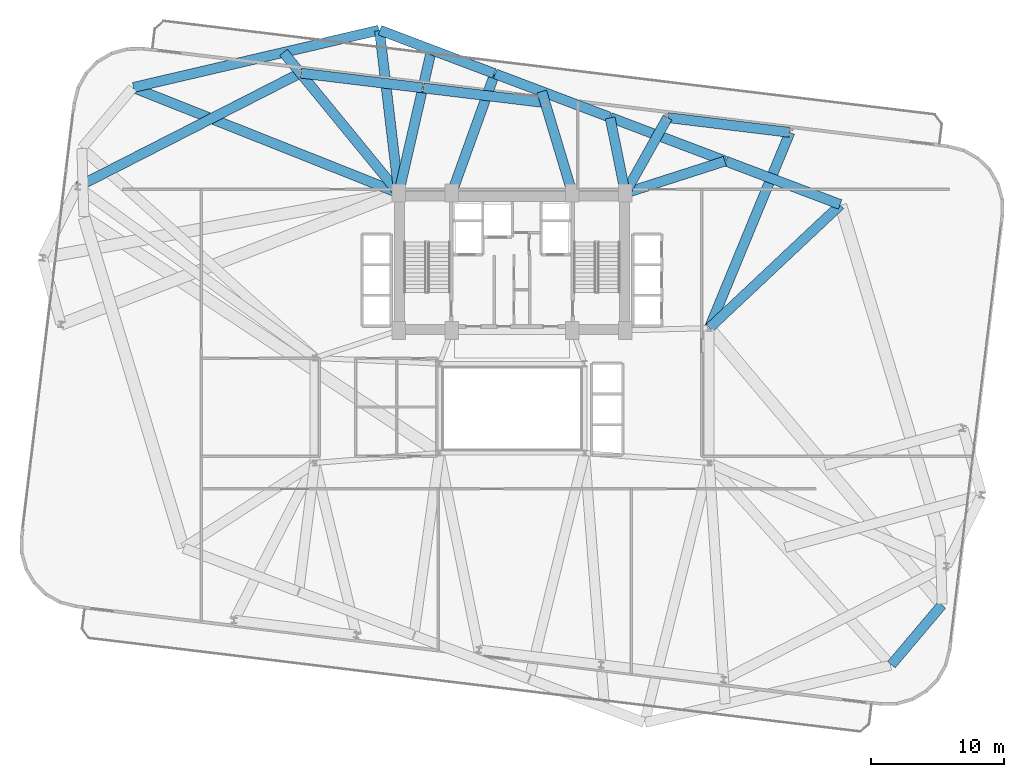
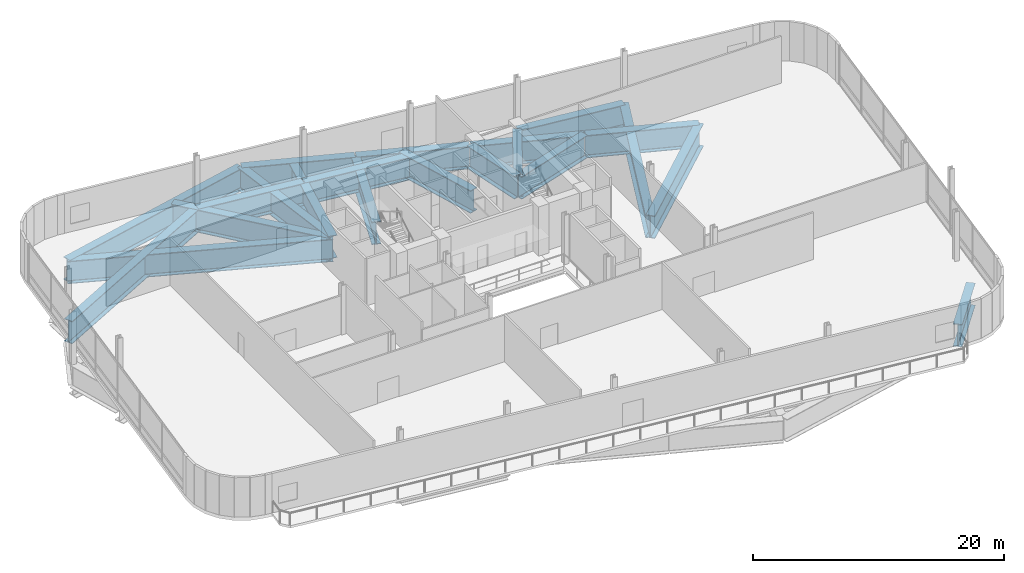
# One storey, part 9 of 22: 21 beams.
"""IFC4 building model written with IfcOpenShell, lengths in metres."""

from ifc_helpers import new_model, si_unit, direction, frame, origin, origin_2d, place, context, subcontext, project, spatial, i_section, extrude, material, material_profile, profile_set, type_object, element, save


model = new_model("IFC4")

# Units and contexts
model_context = context("Model", 3, precision=1e-05, world=origin(), true_north=direction((0.0, 1.0)))
body_context = subcontext(model_context, "Body", "Model", "MODEL_VIEW")
ifc_project = project(units=[si_unit("LENGTHUNIT", "METRE"), si_unit("AREAUNIT", "SQUARE_METRE"), si_unit("VOLUMEUNIT", "CUBIC_METRE"), si_unit("PLANEANGLEUNIT", "RADIAN"), si_unit("MASSUNIT", "GRAM", prefix="KILO")], contexts=[model_context])

# Site, building, storey
site_placement = place(None, origin())
site = spatial("IfcSite", under=ifc_project, at=site_placement, CompositionType="ELEMENT")
building_placement = place(site_placement, origin())
building = spatial("IfcBuilding", under=site, at=building_placement, Name="Varnelok Gate Tower", CompositionType="ELEMENT")
storey_placement = place(building_placement, frame((0.0, 0.0, 116.89990234375)))
storey = spatial("IfcBuildingStorey", under=building, at=storey_placement, Name="L29", CompositionType="ELEMENT", Elevation=116.89990234375)

# Beams
ifc_material = material(Name="Structural Steel ASTM A572 Grade 50", Category="steel")
ifc_material_profile = material_profile(ifc_material, i_section(OverallWidth=0.75, OverallDepth=2.199951171875, WebThickness=0.031982421875, FlangeThickness=0.06005859375, FilletRadius=0.028076171875, at=origin_2d()), Name="PG2200X750")
ifc_profile_set = profile_set([ifc_material_profile], Name="Structural Steel ASTM A572 Grade 50")
beam_type = type_object("IfcBeamType", Name="BM-TR-PG2200", PredefinedType="BEAM", material=ifc_profile_set)
beam_1_placement = place(storey_placement, frame((67.66259765625, 3.658203125, -1.419921875), z_axis=(0.645349138464, 0.763887746651, 0.0), x_axis=(-0.763887746651, 0.645349138464, 0.0)))
element("IfcBeam", 1, at=beam_1_placement, inside=storey, type_object=beam_type, Name="L29 Transfer Support Ring Girder 6", PredefinedType="BEAM", context=body_context, shape_type="SweptSolid", body=[
    extrude(i_section(OverallWidth=0.75, OverallDepth=2.199951171875, WebThickness=0.031982421875, FlangeThickness=0.06005859375, FilletRadius=0.028076171875, at=origin_2d()), origin(), (0.0, 0.0, 1.0), 5.869873046875),
])
beam_2_placement = place(storey_placement, frame((63.821533203125, 38.197998046875, -1.419921875), z_axis=(-0.935227177902, 0.354048196878, 0.0), x_axis=(-0.354048196878, -0.935227177902, 0.0)))
element("IfcBeam", 2, at=beam_2_placement, inside=storey, type_object=beam_type, Name="L29 Transfer Support Ring Girder 9", PredefinedType="BEAM", context=body_context, shape_type="SweptSolid", body=[
    extrude(i_section(OverallWidth=0.75, OverallDepth=2.199951171875, WebThickness=0.031982421875, FlangeThickness=0.06005859375, FilletRadius=0.028076171875, at=origin_2d()), origin(), (0.0, 0.0, 1.0), 9.169921875),
])
beam_3_placement = place(storey_placement, frame((55.1708984375, 41.472900390625, -1.419921875), z_axis=(-0.935221699646, 0.35406266749, 0.0), x_axis=(-0.35406266749, -0.935221699646, 0.0)))
element("IfcBeam", 3, at=beam_3_placement, inside=storey, type_object=beam_type, Name="L29 Transfer Support Ring Girder 10", PredefinedType="BEAM", context=body_context, shape_type="SweptSolid", body=[
    extrude(i_section(OverallWidth=0.75, OverallDepth=2.199951171875, WebThickness=0.031982421875, FlangeThickness=0.06005859375, FilletRadius=0.028076171875, at=origin_2d()), origin(), (0.0, 0.0, 1.0), 9.170166015625),
])
for number, where, z_axis, x_axis, name in (
    (4, (46.52001953125, 44.748046875, -1.419921875), (-0.935218362021, 0.354071483375, 0.0), (-0.354071483375, -0.935218362021, 0.0), "L29 Transfer Support Ring Girder 11"),
    (5, (37.869140625, 48.023193359375, -1.419921875), (-0.935218362021, 0.354071483375, 0.0), (-0.354071483375, -0.935218362021, 0.0), "L29 Transfer Support Ring Girder 12"),
):
    element("IfcBeam", number, at=place(storey_placement, frame(where, z_axis=z_axis, x_axis=x_axis)), inside=storey, type_object=beam_type, Name=name, PredefinedType="BEAM", context=body_context, shape_type="SweptSolid", body=[
        extrude(i_section(OverallWidth=0.75, OverallDepth=2.199951171875, WebThickness=0.031982421875, FlangeThickness=0.06005859375, FilletRadius=0.028076171875, at=origin_2d()), origin(), (0.0, 0.0, 1.0), 9.169921875),
    ])
beam_4_placement = place(storey_placement, frame((29.216796875, 51.27490234375, -1.419921875), z_axis=(-0.973879482097, -0.227065528759, 0.0), x_axis=(0.227065528759, -0.973879482097, 0.0)))
element("IfcBeam", 6, at=beam_4_placement, inside=storey, type_object=beam_type, Name="L29 Transfer Support Ring Girder 13", PredefinedType="BEAM", context=body_context, shape_type="SweptSolid", body=[
    extrude(i_section(OverallWidth=0.75, OverallDepth=2.199951171875, WebThickness=0.031982421875, FlangeThickness=0.06005859375, FilletRadius=0.028076171875, at=origin_2d()), origin(), (0.0, 0.0, 1.0), 18.908447265625),
])
beam_5_placement = place(storey_placement, frame((54.029296875, 28.947509765625, -1.419921875), z_axis=(0.728758296233, 0.684771016962, 0.0), x_axis=(-0.684771016962, 0.728758296233, 0.0)))
element("IfcBeam", 7, at=beam_5_placement, inside=storey, type_object=beam_type, Name="L29 Radial Transfer Main Girder 9", PredefinedType="BEAM", context=body_context, shape_type="SweptSolid", body=[
    extrude(i_section(OverallWidth=0.75, OverallDepth=2.199951171875, WebThickness=0.031982421875, FlangeThickness=0.06005859375, FilletRadius=0.028076171875, at=origin_2d()), origin(), (0.0, 0.0, 1.0), 13.4482421875),
])
beam_6_placement = place(storey_placement, frame((47.738037109375, 39.062255859375, -1.419921875), z_axis=(0.952200897565, 0.305472503962, 0.0), x_axis=(-0.305472503962, 0.952200897565, 0.0)))
element("IfcBeam", 8, at=beam_6_placement, inside=storey, type_object=beam_type, Name="L29 Radial Transfer Main Girder 10", PredefinedType="BEAM", context=body_context, shape_type="SweptSolid", body=[
    extrude(i_section(OverallWidth=0.75, OverallDepth=2.199951171875, WebThickness=0.031982421875, FlangeThickness=0.06005859375, FilletRadius=0.028076171875, at=origin_2d()), origin(), (0.0, 0.0, 1.0), 7.80517578125),
])
beam_7_placement = place(storey_placement, frame((47.692138671875, 39.089111328125, -1.419921875), z_axis=(-0.197101411794, 0.980383105459, 0.0), x_axis=(-0.980383105459, -0.197101411794, 0.0)))
element("IfcBeam", 9, at=beam_7_placement, inside=storey, type_object=beam_type, Name="L29 Radial Transfer Main Girder 11", PredefinedType="BEAM", context=body_context, shape_type="SweptSolid", body=[
    extrude(i_section(OverallWidth=0.75, OverallDepth=2.199951171875, WebThickness=0.031982421875, FlangeThickness=0.06005859375, FilletRadius=0.028076171875, at=origin_2d()), origin(), (0.0, 0.0, 1.0), 5.717529296875),
])
beam_8_placement = place(storey_placement, frame((34.693603515625, 39.087646484375, -1.419921875), z_axis=(0.338841237083, 0.940843566196, 0.0), x_axis=(-0.940843566196, 0.338841237083, 0.0)))
element("IfcBeam", 10, at=beam_8_placement, inside=storey, type_object=beam_type, Name="L29 Radial Transfer Main Girder 12", PredefinedType="BEAM", context=body_context, shape_type="SweptSolid", body=[
    extrude(i_section(OverallWidth=0.75, OverallDepth=2.199951171875, WebThickness=0.031982421875, FlangeThickness=0.06005859375, FilletRadius=0.028076171875, at=origin_2d()), origin(), (0.0, 0.0, 1.0), 9.4423828125),
])
beam_9_placement = place(storey_placement, frame((30.6953125, 39.089599609375, -1.419921875), z_axis=(-0.117231269425, 0.993104641752, 0.0), x_axis=(-0.993104641752, -0.117231269425, 0.0)))
element("IfcBeam", 11, at=beam_9_placement, inside=storey, type_object=beam_type, Name="L29 Radial Transfer Main Girder 13", PredefinedType="BEAM", context=body_context, shape_type="SweptSolid", body=[
    extrude(i_section(OverallWidth=0.75, OverallDepth=2.199951171875, WebThickness=0.031982421875, FlangeThickness=0.06005859375, FilletRadius=0.028076171875, at=origin_2d()), origin(), (0.0, 0.0, 1.0), 12.2392578125),
])
beam_10_placement = place(storey_placement, frame((30.662841796875, 39.064697265625, -1.419921875), z_axis=(-0.929314874779, 0.369288320305, 0.0), x_axis=(-0.369288320305, -0.929314874779, 0.0)))
element("IfcBeam", 12, at=beam_10_placement, inside=storey, type_object=beam_type, Name="L29 Radial Transfer Main Girder 14", PredefinedType="BEAM", context=body_context, shape_type="SweptSolid", body=[
    extrude(i_section(OverallWidth=0.75, OverallDepth=2.199951171875, WebThickness=0.031982421875, FlangeThickness=0.06005859375, FilletRadius=0.028076171875, at=origin_2d()), origin(), (0.0, 0.0, 1.0), 21.373046875),
])
beam_11_placement = place(storey_placement, frame((54.0380859375, 29.012451171875, -1.419921875), z_axis=(0.381190128649, 0.924496666203, 0.0), x_axis=(-0.924496666203, 0.381190128649, 0.0)))
element("IfcBeam", 13, at=beam_11_placement, inside=storey, type_object=beam_type, Name="L29 Column Transfer Carrier Girder 9", PredefinedType="BEAM", context=body_context, shape_type="SweptSolid", body=[
    extrude(i_section(OverallWidth=0.75, OverallDepth=2.199951171875, WebThickness=0.031982421875, FlangeThickness=0.06005859375, FilletRadius=0.028076171875, at=origin_2d()), origin(), (0.0, 0.0, 1.0), 15.782470703125),
])
beam_12_placement = place(storey_placement, frame((47.748779296875, 39.13720703125, -1.419921875), z_axis=(0.488409182132, 0.872614732175, 0.0), x_axis=(-0.872614732175, 0.488409182132, 0.0)))
element("IfcBeam", 14, at=beam_12_placement, inside=storey, type_object=beam_type, Name="L29 Column Transfer Carrier Girder 10", PredefinedType="BEAM", context=body_context, shape_type="SweptSolid", body=[
    extrude(i_section(OverallWidth=0.75, OverallDepth=2.199951171875, WebThickness=0.031982421875, FlangeThickness=0.06005859375, FilletRadius=0.028076171875, at=origin_2d()), origin(), (0.0, 0.0, 1.0), 6.393798828125),
])
beam_13_placement = place(storey_placement, frame((43.69140625, 39.145751953125, -1.419921875), z_axis=(-0.287025766242, 0.957922861985, 0.0), x_axis=(-0.957922861985, -0.287025766242, 0.0)))
element("IfcBeam", 15, at=beam_13_placement, inside=storey, type_object=beam_type, Name="L29 Column Transfer Carrier Girder 11", PredefinedType="BEAM", context=body_context, shape_type="SweptSolid", body=[
    extrude(i_section(OverallWidth=0.75, OverallDepth=2.199951171875, WebThickness=0.031982421875, FlangeThickness=0.06005859375, FilletRadius=0.028076171875, at=origin_2d()), origin(), (0.0, 0.0, 1.0), 7.857666015625),
])
beam_14_placement = place(storey_placement, frame((30.722412109375, 39.1474609375, -1.419921875), z_axis=(0.223026090529, 0.974812475784, 0.0), x_axis=(-0.974812475784, 0.223026090529, 0.0)))
element("IfcBeam", 16, at=beam_14_placement, inside=storey, type_object=beam_type, Name="L29 Column Transfer Carrier Girder 12", PredefinedType="BEAM", context=body_context, shape_type="SweptSolid", body=[
    extrude(i_section(OverallWidth=0.75, OverallDepth=2.199951171875, WebThickness=0.031982421875, FlangeThickness=0.06005859375, FilletRadius=0.028076171875, at=origin_2d()), origin(), (0.0, 0.0, 1.0), 10.93359375),
])
beam_15_placement = place(storey_placement, frame((30.63671875, 39.12744140625, -1.419921875), z_axis=(-0.633668621024, 0.773604601026, 0.0), x_axis=(-0.773604601026, -0.633668621024, 0.0)))
element("IfcBeam", 17, at=beam_15_placement, inside=storey, type_object=beam_type, Name="L29 Column Transfer Carrier Girder 13", PredefinedType="BEAM", context=body_context, shape_type="SweptSolid", body=[
    extrude(i_section(OverallWidth=0.75, OverallDepth=2.199951171875, WebThickness=0.031982421875, FlangeThickness=0.06005859375, FilletRadius=0.028076171875, at=origin_2d()), origin(), (0.0, 0.0, 1.0), 13.543701171875),
])
beam_16_placement = place(storey_placement, frame((60.0146484375, 43.608154296875, -1.419921875), z_axis=(-0.992733011019, 0.120337728218, 0.0), x_axis=(-0.120337728218, -0.992733011019, 0.0)))
element("IfcBeam", 18, at=beam_16_placement, inside=storey, type_object=beam_type, Name="L29 Upper Perimeter Transfer Ring 9", PredefinedType="BEAM", context=body_context, shape_type="SweptSolid", body=[
    extrude(i_section(OverallWidth=0.75, OverallDepth=2.199951171875, WebThickness=0.031982421875, FlangeThickness=0.06005859375, FilletRadius=0.028076171875, at=origin_2d()), origin(), (0.0, 0.0, 1.0), 9.170166015625),
])
beam_17_placement = place(storey_placement, frame((41.64892578125, 45.83447265625, -1.419921875), z_axis=(-0.992732625466, 0.120340908818, 0.0), x_axis=(-0.120340908818, -0.992732625466, 0.0)))
element("IfcBeam", 19, at=beam_17_placement, inside=storey, type_object=beam_type, Name="L29 Upper Perimeter Transfer Ring 11", PredefinedType="BEAM", context=body_context, shape_type="SweptSolid", body=[
    extrude(i_section(OverallWidth=0.75, OverallDepth=2.199951171875, WebThickness=0.031982421875, FlangeThickness=0.06005859375, FilletRadius=0.028076171875, at=origin_2d()), origin(), (0.0, 0.0, 1.0), 9.169921875),
])
beam_18_placement = place(storey_placement, frame((32.46630859375, 46.94775390625, -1.419921875), z_axis=(-0.992733011019, 0.120337728218, 0.0), x_axis=(-0.120337728218, -0.992733011019, 0.0)))
element("IfcBeam", 20, at=beam_18_placement, inside=storey, type_object=beam_type, Name="L29 Upper Perimeter Transfer Ring 12", PredefinedType="BEAM", context=body_context, shape_type="SweptSolid", body=[
    extrude(i_section(OverallWidth=0.75, OverallDepth=2.199951171875, WebThickness=0.031982421875, FlangeThickness=0.06005859375, FilletRadius=0.028076171875, at=origin_2d()), origin(), (0.0, 0.0, 1.0), 9.170166015625),
])
beam_19_placement = place(storey_placement, frame((23.28759765625, 48.037841796875, -1.419921875), z_axis=(-0.890728514635, -0.454535711706, 0.0), x_axis=(0.454535711706, -0.890728514635, 0.0)))
element("IfcBeam", 21, at=beam_19_placement, inside=storey, type_object=beam_type, Name="L29 Upper Perimeter Transfer Ring 13", PredefinedType="BEAM", context=body_context, shape_type="SweptSolid", body=[
    extrude(i_section(OverallWidth=0.75, OverallDepth=2.199951171875, WebThickness=0.031982421875, FlangeThickness=0.06005859375, FilletRadius=0.028076171875, at=origin_2d()), origin(), (0.0, 0.0, 1.0), 18.68701171875),
])

save(model, "model.ifc")
